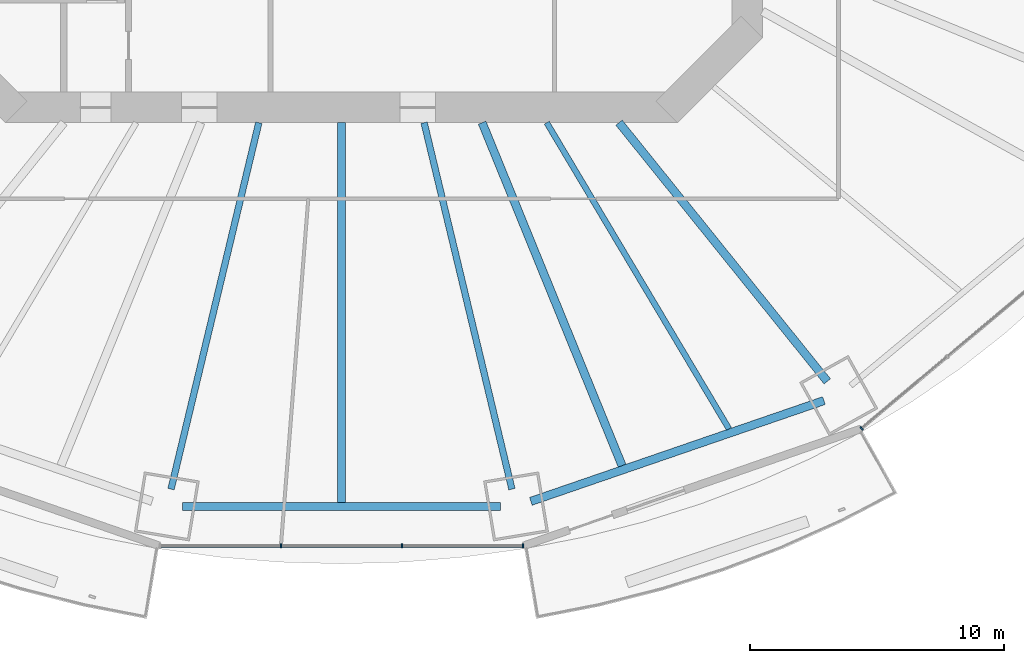
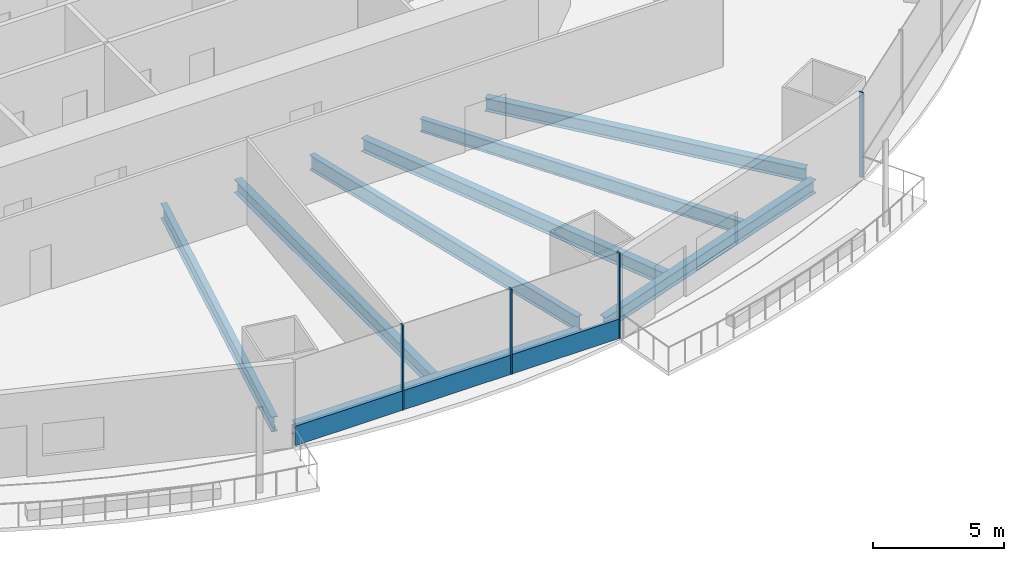
# One storey, part 4 of 23: 8 beams, 5 members, 2 elements without a shape of their own.
"""IFC4 building model written with IfcOpenShell, lengths in metres."""

from ifc_helpers import new_model, si_unit, direction, frame, origin, origin_2d, place, context, subcontext, project, spatial, rectangle, i_section, extrude, material, material_profile, profile_set, type_object, element, aggregate, save


model = new_model("IFC4")

# Units and contexts
model_context = context("Model", 3, precision=1e-05, world=origin(), true_north=direction((0.0, 1.0)))
body_context = subcontext(model_context, "Body", "Model", "MODEL_VIEW")
ifc_project = project(units=[si_unit("LENGTHUNIT", "METRE"), si_unit("AREAUNIT", "SQUARE_METRE"), si_unit("VOLUMEUNIT", "CUBIC_METRE"), si_unit("PLANEANGLEUNIT", "RADIAN"), si_unit("MASSUNIT", "GRAM", prefix="KILO")], contexts=[model_context])

# Site, building, storey
site_placement = place(None, origin())
site = spatial("IfcSite", under=ifc_project, at=site_placement, CompositionType="ELEMENT")
building_placement = place(site_placement, origin())
building = spatial("IfcBuilding", under=site, at=building_placement, Name="Marenthal Gate Tower", CompositionType="ELEMENT")
storey_placement = place(building_placement, frame((0.0, 0.0, 41.300048828125)))
storey = spatial("IfcBuildingStorey", under=building, at=storey_placement, Name="L06", CompositionType="ELEMENT", Elevation=41.300048828125)

# Curtain wall, members
ifc_material_1 = material(Name="Aluminium and glass", Category="aluminium")
curtain_wall_type = type_object("IfcCurtainWallType", Name="Curtain wall typical low", PredefinedType="NOTDEFINED", material=ifc_material_1)
curtain_wall_1_placement = place(storey_placement, origin())
curtain_wall_1 = element("IfcCurtainWall", 1, at=curtain_wall_1_placement, inside=storey, type_object=curtain_wall_type, Name="Curtain wall L06 bay 12", PredefinedType="NOTDEFINED")
ifc_material_2 = material(Name="Aluminium", Category="aluminium")
ifc_material_profile_1 = material_profile(ifc_material_2, rectangle(XDim=0.159912109375, YDim=0.06005859375, at=origin_2d()), Name="60x160 aluminium mullion")
ifc_profile_set_1 = profile_set([ifc_material_profile_1], Name="Aluminium")
member_type_1 = type_object("IfcMemberType", Name="Mullion 60x160 typical low", PredefinedType="MULLION", material=ifc_profile_set_1)
member_1_placement = place(storey_placement, frame((-2.38818359375, -30.28662109375, 0.0), z_axis=(0.0, 0.0, 1.0), x_axis=(0.0, 1.0, 0.0)))
member_1 = element("IfcMember", 2, at=member_1_placement, type_object=member_type_1, Name="Mullion L06 bay 12.2", PredefinedType="MULLION", context=body_context, shape_type="SweptSolid", body=[
    extrude(rectangle(XDim=0.159912109375, YDim=0.06005859375, at=origin_2d()), origin(), (0.0, 0.0, 1.0), 3.969970703125),
])
member_2_placement = place(storey_placement, frame((2.38818359375, -30.28662109375, 0.0), z_axis=(0.0, 0.0, 1.0), x_axis=(0.0, 1.0, 0.0)))
member_2 = element("IfcMember", 3, at=member_2_placement, type_object=member_type_1, Name="Mullion L06 bay 12.3", PredefinedType="MULLION", context=body_context, shape_type="SweptSolid", body=[
    extrude(rectangle(XDim=0.159912109375, YDim=0.06005859375, at=origin_2d()), origin(), (0.0, 0.0, 1.0), 3.969970703125),
])
member_3_placement = place(storey_placement, frame((7.164794921875, -30.28662109375, 0.0), z_axis=(0.0, 0.0, 1.0), x_axis=(0.0, 1.0, 0.0)))
member_3 = element("IfcMember", 4, at=member_3_placement, type_object=member_type_1, Name="Mullion L06 bay 12.4", PredefinedType="MULLION", context=body_context, shape_type="SweptSolid", body=[
    extrude(rectangle(XDim=0.159912109375, YDim=0.06005859375, at=origin_2d()), origin(), (0.0, 0.0, 1.0), 3.969970703125),
])

# Curtain wall, member
curtain_wall_2_placement = place(storey_placement, origin())
curtain_wall_2 = element("IfcCurtainWall", 5, at=curtain_wall_2_placement, inside=storey, type_object=curtain_wall_type, Name="Curtain wall L06 bay 14", PredefinedType="NOTDEFINED")
member_4_placement = place(storey_placement, frame((20.512451171875, -25.656494140625, 0.0), z_axis=(0.0, 0.0, 1.0), x_axis=(-0.641982192245, 0.76671954771, 0.0)))
member_4 = element("IfcMember", 6, at=member_4_placement, type_object=member_type_1, Name="Mullion L06 bay 14.1", PredefinedType="MULLION", context=body_context, shape_type="SweptSolid", body=[
    extrude(rectangle(XDim=0.159912109375, YDim=0.06005859375, at=origin_2d()), origin(), (0.0, 0.0, 1.0), 3.969970703125),
])
aggregate(curtain_wall_2, [member_4])

# Member
ifc_material_3 = material(Name="Aluminium", Category="aluminium")
ifc_material_profile_2 = material_profile(ifc_material_3, rectangle(XDim=0.1201171875, YDim=0.89990234375, at=origin_2d()), Name="120x900 aluminium transom")
ifc_profile_set_2 = profile_set([ifc_material_profile_2], Name="Aluminium")
member_type_2 = type_object("IfcMemberType", Name="Transom 120x900 typical low", PredefinedType="USERDEFINED", material=ifc_profile_set_2)
member_5_placement = place(storey_placement, frame((-7.135009765625, -30.28662109375, 0.449951171875), z_axis=(1.0, 0.0, 0.0), x_axis=(0.0, 1.0, 0.0)))
member_5 = element("IfcMember", 7, at=member_5_placement, type_object=member_type_2, Name="Transom L06 bay 12", ObjectType="TRANSOM", PredefinedType="USERDEFINED", context=body_context, shape_type="SweptSolid", body=[
    extrude(rectangle(XDim=0.1201171875, YDim=0.89990234375, at=origin_2d()), origin(), (0.0, 0.0, 1.0), 14.27001953125),
])

aggregate(curtain_wall_1, [member_1, member_2, member_3, member_5])

# Beams
ifc_material_4 = material(Name="Steel S355", Category="steel")
ifc_material_profile_3 = material_profile(ifc_material_4, i_section(OverallWidth=0.22900390625, OverallDepth=0.612060546875, WebThickness=0.011962890625, FlangeThickness=0.01953125, FilletRadius=0.0126953125, at=origin_2d()), Name="W610X125")
ifc_profile_set_3 = profile_set([ifc_material_profile_3], Name="Steel S355")
beam_type_1 = type_object("IfcBeamType", Name="W610X125 beam", PredefinedType="BEAM", material=ifc_profile_set_3)
beam_1_placement = place(storey_placement, frame((15.28515625, -25.677734375, -0.486083984375), z_axis=(-0.511504014048, 0.859280887494, 0.0), x_axis=(-0.859280887494, -0.511504014048, 0.0)))
element("IfcBeam", 8, at=beam_1_placement, inside=storey, type_object=beam_type_1, Name="BM-L06-36", PredefinedType="BEAM", context=body_context, shape_type="SweptSolid", body=[
    extrude(i_section(OverallWidth=0.22900390625, OverallDepth=0.612060546875, WebThickness=0.011962890625, FlangeThickness=0.01953125, FilletRadius=0.0126953125, at=origin_2d()), origin(), (0.0, 0.0, 1.0), 14.055419921875),
])
ifc_material_5 = material(Name="Steel S355", Category="steel")
ifc_material_profile_4 = material_profile(ifc_material_5, i_section(OverallWidth=0.324951171875, OverallDepth=0.612060546875, WebThickness=0.0126953125, FlangeThickness=0.01904296875, FilletRadius=0.0126953125, at=origin_2d()), Name="W610X155")
ifc_profile_set_4 = profile_set([ifc_material_profile_4], Name="Steel S355")
beam_type_2 = type_object("IfcBeamType", Name="W610X155 beam", PredefinedType="BEAM", material=ifc_profile_set_4)
beam_2_placement = place(storey_placement, frame((19.161376953125, -23.802978515625, -0.486083984375), z_axis=(-0.627069823545, 0.778963052012, 0.0), x_axis=(-0.778963052012, -0.627069823545, 0.0)))
element("IfcBeam", 9, at=beam_2_placement, inside=storey, type_object=beam_type_2, Name="BM-L06-14", PredefinedType="BEAM", context=body_context, shape_type="SweptSolid", body=[
    extrude(i_section(OverallWidth=0.324951171875, OverallDepth=0.612060546875, WebThickness=0.0126953125, FlangeThickness=0.01904296875, FilletRadius=0.0126953125, at=origin_2d()), origin(), (0.0, 0.0, 1.0), 13.09814453125),
])
beam_3_placement = place(storey_placement, frame((0.0, -28.574462890625, -0.486083984375), z_axis=(0.0, 1.0, 0.0), x_axis=(-1.0, 0.0, 0.0)))
element("IfcBeam", 10, at=beam_3_placement, inside=storey, type_object=beam_type_2, Name="BM-L06-34", PredefinedType="BEAM", context=body_context, shape_type="SweptSolid", body=[
    extrude(i_section(OverallWidth=0.324951171875, OverallDepth=0.612060546875, WebThickness=0.0126953125, FlangeThickness=0.01904296875, FilletRadius=0.0126953125, at=origin_2d()), origin(), (0.0, 0.0, 1.0), 14.974365234375),
])
beam_4_placement = place(storey_placement, frame((11.06689453125, -27.1279296875, -0.486083984375), z_axis=(-0.377734751458, 0.925913849956, 0.0), x_axis=(-0.925913849956, -0.377734751458, 0.0)))
element("IfcBeam", 11, at=beam_4_placement, inside=storey, type_object=beam_type_2, Name="BM-L06-35", PredefinedType="BEAM", context=body_context, shape_type="SweptSolid", body=[
    extrude(i_section(OverallWidth=0.324951171875, OverallDepth=0.612060546875, WebThickness=0.0126953125, FlangeThickness=0.01904296875, FilletRadius=0.0126953125, at=origin_2d()), origin(), (0.0, 0.0, 1.0), 14.6103515625),
])
beam_5_placement = place(storey_placement, frame((-6.271728515625, -28.737060546875, -0.486083984375), z_axis=(1.0, 0.0, 0.0), x_axis=(0.0, 1.0, 0.0)))
element("IfcBeam", 12, at=beam_5_placement, inside=storey, type_object=beam_type_2, Name="BM-L06-52", PredefinedType="BEAM", context=body_context, shape_type="SweptSolid", body=[
    extrude(i_section(OverallWidth=0.324951171875, OverallDepth=0.612060546875, WebThickness=0.0126953125, FlangeThickness=0.01904296875, FilletRadius=0.0126953125, at=origin_2d()), origin(), (0.0, 0.0, 1.0), 12.54345703125),
])
beam_6_placement = place(storey_placement, frame((7.468994140625, -28.536865234375, -0.486083984375), z_axis=(0.945669328234, 0.325130007287, 0.0), x_axis=(-0.325130007287, 0.945669328234, 0.0)))
element("IfcBeam", 13, at=beam_6_placement, inside=storey, type_object=beam_type_2, Name="BM-L06-53", PredefinedType="BEAM", context=body_context, shape_type="SweptSolid", body=[
    extrude(i_section(OverallWidth=0.324951171875, OverallDepth=0.612060546875, WebThickness=0.0126953125, FlangeThickness=0.01904296875, FilletRadius=0.0126953125, at=origin_2d()), origin(), (0.0, 0.0, 1.0), 12.22314453125),
])
ifc_material_6 = material(Name="Steel S355", Category="steel")
ifc_material_profile_5 = material_profile(ifc_material_6, i_section(OverallWidth=0.257080078125, OverallDepth=0.693115234375, WebThickness=0.014404296875, FlangeThickness=0.023681640625, FilletRadius=0.015380859375, at=origin_2d()), Name="W690X170")
ifc_profile_set_5 = profile_set([ifc_material_profile_5], Name="Steel S355")
beam_type_3 = type_object("IfcBeamType", Name="W690X170 beam", PredefinedType="BEAM", material=ifc_profile_set_5)
for number, where, z_axis, x_axis, name in (
    (14, (-6.722900390625, -28.05322265625, -0.526611328125), (0.233046764578, 0.972465529219, 0.0), (-0.972465529219, 0.233046764578, 0.0), "BM-L06-12"),
    (15, (6.722900390625, -28.05322265625, -0.526611328125), (-0.233046764578, 0.972465529219, 0.0), (-0.972465529219, -0.233046764578, 0.0), "BM-L06-13"),
):
    element("IfcBeam", number, at=place(storey_placement, frame(where, z_axis=z_axis, x_axis=x_axis)), inside=storey, type_object=beam_type_3, Name=name, PredefinedType="BEAM", context=body_context, shape_type="SweptSolid", body=[
        extrude(i_section(OverallWidth=0.257080078125, OverallDepth=0.693115234375, WebThickness=0.014404296875, FlangeThickness=0.023681640625, FilletRadius=0.015380859375, at=origin_2d()), origin(), (0.0, 0.0, 1.0), 14.8623046875),
    ])

save(model, "model.ifc")
